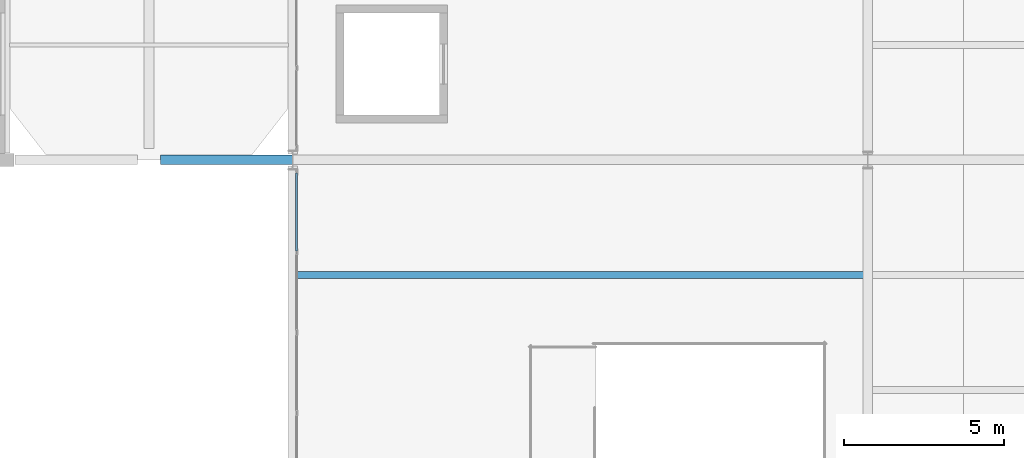
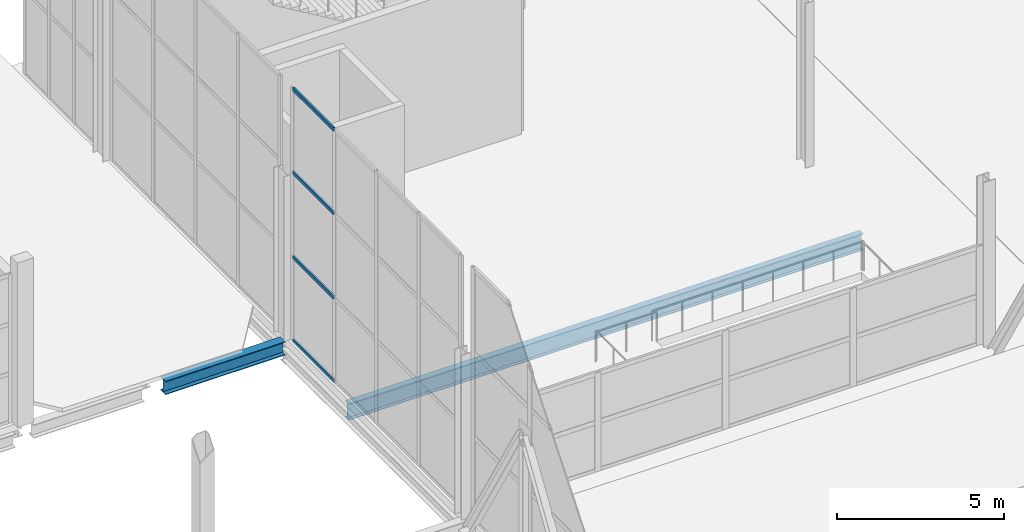
# One storey, part 82 of 191: 4 members, 2 beams, 1 element without a shape of its own.
"""IFC4 building model written with IfcOpenShell, lengths in metres."""

from ifc_helpers import new_model, si_unit, direction, frame, origin, origin_2d, place, context, subcontext, project, spatial, hollow_rectangle, i_section, extrude, material, layer, layer_set, material_profile, profile_set, type_object, element, aggregate, save


model = new_model("IFC4")

# Units and contexts
model_context = context("Model", 3, precision=1e-05, world=origin(), true_north=direction((0.0, 1.0)))
body_context = subcontext(model_context, "Body", "Model", "MODEL_VIEW")
ifc_project = project(units=[si_unit("LENGTHUNIT", "METRE"), si_unit("AREAUNIT", "SQUARE_METRE"), si_unit("VOLUMEUNIT", "CUBIC_METRE"), si_unit("PLANEANGLEUNIT", "RADIAN"), si_unit("MASSUNIT", "GRAM", prefix="KILO")], contexts=[model_context])

# Site, building, storey
site_placement = place(None, origin())
site = spatial("IfcSite", under=ifc_project, at=site_placement, CompositionType="ELEMENT")
building_placement = place(site_placement, origin())
building = spatial("IfcBuilding", under=site, at=building_placement, Name="Tamarisk Ironworks Central Station", CompositionType="ELEMENT")
storey_placement = place(building_placement, frame((0.0, 0.0, 6.60009765625)))
storey = spatial("IfcBuildingStorey", under=building, at=storey_placement, Name="L01", CompositionType="ELEMENT", Elevation=6.60009765625)

# Beams
ifc_material_1 = material(Name="Structural steel S355J2", Category="steel")
ifc_material_profile_1 = material_profile(ifc_material_1, i_section(OverallWidth=0.219970703125, OverallDepth=0.60009765625, WebThickness=0.011962890625, FlangeThickness=0.01904296875, at=origin_2d()), Name="IPE 600")
ifc_profile_set_1 = profile_set([ifc_material_profile_1], Name="Structural steel S355J2")
beam_type_1 = type_object("IfcBeamType", Name="BM-B01", PredefinedType="BEAM", material=ifc_profile_set_1)
beam_1_placement = place(storey_placement, frame((54.135009765625, 86.39990234375, -0.60009765625), z_axis=(1.0, 0.0, 0.0), x_axis=(0.0, 1.0, 0.0)))
element("IfcBeam", 1, at=beam_1_placement, inside=storey, type_object=beam_type_1, Name="L01 secondary composite beam 0013", PredefinedType="BEAM", context=body_context, shape_type="SweptSolid", body=[
    extrude(i_section(OverallWidth=0.219970703125, OverallDepth=0.60009765625, WebThickness=0.011962890625, FlangeThickness=0.01904296875, at=origin_2d()), origin(), (0.0, 0.0, 1.0), 17.72998046875),
])
ifc_material_profile_2 = material_profile(ifc_material_1, i_section(OverallWidth=0.300048828125, OverallDepth=0.489990234375, WebThickness=0.011962890625, FlangeThickness=0.02294921875, at=origin_2d()), Name="HEA 500")
ifc_profile_set_2 = profile_set([ifc_material_profile_2], Name="Structural steel S355J2")
beam_type_2 = type_object("IfcBeamType", Name="BM-G05", PredefinedType="BEAM", material=ifc_profile_set_2)
beam_2_placement = place(storey_placement, frame((49.863037109375, 90.0, -0.385009765625), z_axis=(1.0, 0.0, 0.0), x_axis=(0.0, 1.0, 0.0)))
element("IfcBeam", 2, at=beam_2_placement, inside=storey, type_object=beam_type_2, Name="L01 primary girder X-0099", PredefinedType="BEAM", context=body_context, shape_type="SweptSolid", body=[
    extrude(i_section(OverallWidth=0.300048828125, OverallDepth=0.489990234375, WebThickness=0.011962890625, FlangeThickness=0.02294921875, at=origin_2d()), origin(), (0.0, 0.0, 1.0), 4.133056640625),
])

# Curtain wall, members
ifc_material_2 = material(Name="Anodized aluminium alloy 6063-T6", Category="aluminium")
ifc_layer = layer(ifc_material_2, 0.179931640625)
ifc_layer_set = layer_set([ifc_layer], Name="Anodized aluminium alloy 6063-T6")
curtain_wall_type = type_object("IfcCurtainWallType", Name="CW-07", PredefinedType="USERDEFINED", material=ifc_layer_set)
curtain_wall_placement = place(storey_placement, origin())
curtain_wall = element("IfcCurtainWall", 3, at=curtain_wall_placement, inside=storey, type_object=curtain_wall_type, Name="Concourse W track-overlook curtain wall 06", ObjectType="GLAZED CURTAIN WALL", PredefinedType="USERDEFINED")
ifc_material_profile_3 = material_profile(ifc_material_2, hollow_rectangle(XDim=0.06494140625, YDim=0.135009765625, WallThickness=0.00341796875, at=origin_2d()), Name="ALUM 135x65")
ifc_profile_set_3 = profile_set([ifc_material_profile_3], Name="Anodized aluminium alloy 6063-T6")
member_type = type_object("IfcMemberType", Name="CWT-02", PredefinedType="USERDEFINED", material=ifc_profile_set_3)
member_1_placement = place(storey_placement, frame((54.1201171875, 87.153564453125, 0.032470703125), z_axis=(0.0, 1.0, 0.0), x_axis=(-1.0, 0.0, 0.0)))
member_1 = element("IfcMember", 4, at=member_1_placement, type_object=member_type, Name="CW07 transom 4.1", ObjectType="TRANSOM", PredefinedType="USERDEFINED", context=body_context, shape_type="SweptSolid", body=[
    extrude(hollow_rectangle(XDim=0.06494140625, YDim=0.135009765625, WallThickness=0.00341796875, at=origin_2d()), origin(), (0.0, 0.0, 1.0), 2.435546875),
])
member_2_placement = place(storey_placement, frame((54.1201171875, 87.153564453125, 3.0732421875), z_axis=(0.0, 1.0, 0.0), x_axis=(-1.0, 0.0, 0.0)))
member_2 = element("IfcMember", 5, at=member_2_placement, type_object=member_type, Name="CW07 transom 4.2", ObjectType="TRANSOM", PredefinedType="USERDEFINED", context=body_context, shape_type="SweptSolid", body=[
    extrude(hollow_rectangle(XDim=0.06494140625, YDim=0.135009765625, WallThickness=0.00341796875, at=origin_2d()), origin(), (0.0, 0.0, 1.0), 2.435546875),
])
member_3_placement = place(storey_placement, frame((54.1201171875, 87.153564453125, 6.146484375), z_axis=(0.0, 1.0, 0.0), x_axis=(-1.0, 0.0, 0.0)))
member_3 = element("IfcMember", 6, at=member_3_placement, type_object=member_type, Name="CW07 transom 4.3", ObjectType="TRANSOM", PredefinedType="USERDEFINED", context=body_context, shape_type="SweptSolid", body=[
    extrude(hollow_rectangle(XDim=0.06494140625, YDim=0.135009765625, WallThickness=0.00341796875, at=origin_2d()), origin(), (0.0, 0.0, 1.0), 2.435546875),
])
member_4_placement = place(storey_placement, frame((54.1201171875, 87.153564453125, 9.1875), z_axis=(0.0, 1.0, 0.0), x_axis=(-1.0, 0.0, 0.0)))
member_4 = element("IfcMember", 7, at=member_4_placement, type_object=member_type, Name="CW07 transom 4.4", ObjectType="TRANSOM", PredefinedType="USERDEFINED", context=body_context, shape_type="SweptSolid", body=[
    extrude(hollow_rectangle(XDim=0.06494140625, YDim=0.135009765625, WallThickness=0.00341796875, at=origin_2d()), origin(), (0.0, 0.0, 1.0), 2.435546875),
])
aggregate(curtain_wall, [member_1, member_2, member_3, member_4])

save(model, "model.ifc")
